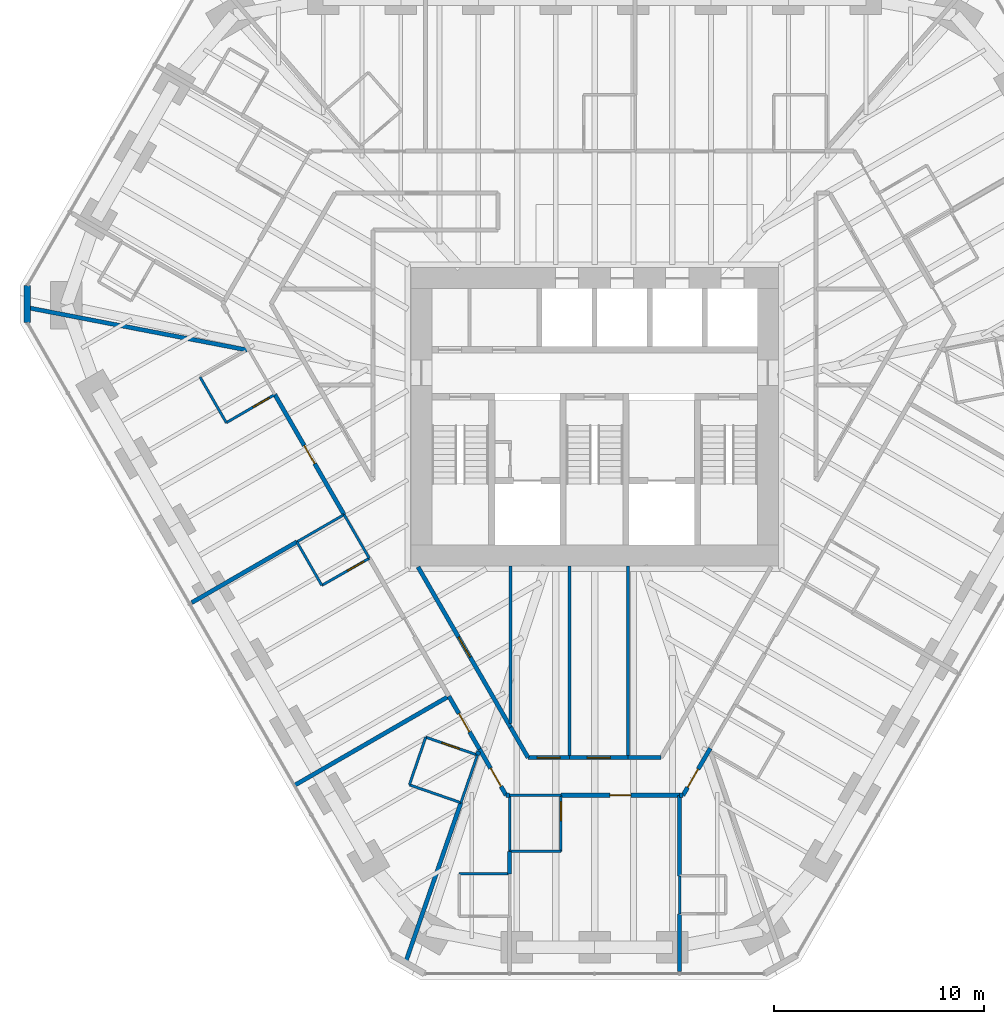
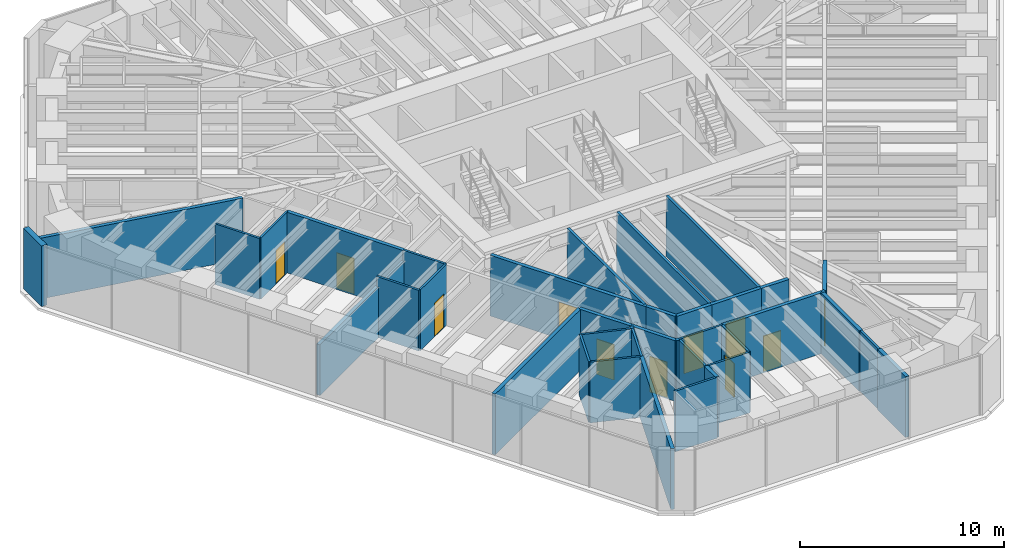
# One storey, part 11 of 16: 40 walls, 12 doors, 12 openings.
"""IFC4 building model written with IfcOpenShell, lengths in metres."""

from ifc_helpers import new_model, si_unit, direction, frame, frame_2d, origin, place, context, subcontext, project, spatial, rectangle, extrude, material, layer, layer_set, type_object, element, fill, save


model = new_model("IFC4")

# Units and contexts
model_context = context("Model", 3, precision=1e-05, world=origin(), true_north=direction((0.0, 1.0)))
body_context = subcontext(model_context, "Body", "Model", "MODEL_VIEW")
ifc_project = project(units=[si_unit("LENGTHUNIT", "METRE"), si_unit("AREAUNIT", "SQUARE_METRE"), si_unit("VOLUMEUNIT", "CUBIC_METRE"), si_unit("PLANEANGLEUNIT", "RADIAN"), si_unit("MASSUNIT", "GRAM", prefix="KILO")], contexts=[model_context])

# Site, building, storey
site_placement = place(None, origin())
site = spatial("IfcSite", under=ifc_project, at=site_placement, CompositionType="ELEMENT")
building_placement = place(site_placement, origin())
building = spatial("IfcBuilding", under=site, at=building_placement, Name="Sandreach Pilgrim Tower", CompositionType="ELEMENT")
storey_placement = place(building_placement, frame((0.0, 0.0, 202.199951171875)))
storey = spatial("IfcBuildingStorey", under=building, at=storey_placement, Name="L50", CompositionType="ELEMENT", Elevation=202.199951171875)

# Walls
ifc_material_1 = material(Name="Gypsum board on steel studs", Category="steel")
ifc_layer_1 = layer(ifc_material_1, 0.14990234375)
ifc_layer_set_1 = layer_set([ifc_layer_1], Name="Back of house wall 150")
wall_type_1 = type_object("IfcWallType", Name="Back of house wall 150", PredefinedType="PARTITIONING", material=ifc_layer_set_1)
wall_1_placement = place(storey_placement, frame((-4.0, -7.10009765625, 0.0), z_axis=(0.0, 0.0, 1.0), x_axis=(0.0, -1.0, 0.0)))
element("IfcWall", 1, at=wall_1_placement, inside=storey, type_object=wall_type_1, Name="Back of house wall L50-074", PredefinedType="PARTITIONING", context=body_context, shape_type="SweptSolid", body=[
    extrude(rectangle(XDim=7.514892578125, YDim=0.14990234375, at=frame_2d((3.75732421875, 0.0))), origin(), (0.0, 0.0, 1.0), 3.64013671875),
])
for number, where, z_axis, x_axis, name in (
    (2, (-1.199951171875, -7.10009765625, 0.0), (0.0, 0.0, 1.0), (0.0, -1.0, 0.0), "Back of house wall L50-079"),
    (3, (1.60009765625, -7.10009765625, 0.0), (0.0, 0.0, 1.0), (0.0, -1.0, 0.0), "Back of house wall L50-083"),
):
    element("IfcWall", number, at=place(storey_placement, frame(where, z_axis=z_axis, x_axis=x_axis)), inside=storey, type_object=wall_type_1, Name=name, PredefinedType="PARTITIONING", context=body_context, shape_type="SweptSolid", body=[
        extrude(rectangle(XDim=9.1298828125, YDim=0.14990234375, at=frame_2d((4.56494140625, 0.0))), origin(), (0.0, 0.0, 1.0), 3.64013671875),
    ])
ifc_material_2 = material(Name="Moisture-resistant gypsum board on steel studs", Category="steel")
ifc_layer_2 = layer(ifc_material_2, 0.1201171875)
ifc_layer_set_2 = layer_set([ifc_layer_2], Name="Bathroom partition 120")
wall_type_2 = type_object("IfcWallType", Name="Bathroom partition 120", PredefinedType="PARTITIONING", material=ifc_layer_set_2)
wall_2_placement = place(storey_placement, frame((-18.7900390625, 1.889892578125, 0.0), z_axis=(0.0, 0.0, 1.0), x_axis=(0.499159685399, -0.866510016372, 0.0)))
element("IfcWall", 4, at=wall_2_placement, inside=storey, type_object=wall_type_2, Name="Bathroom partition L50-010", PredefinedType="PARTITIONING", context=body_context, shape_type="SweptSolid", body=[
    extrude(rectangle(XDim=2.504150390625, YDim=0.1201171875, at=frame_2d((1.251953125, 0.0))), origin(), (0.0, 0.0, 1.0), 3.64013671875),
])

# Wall, opening, door
wall_3_placement = place(storey_placement, frame((-17.5400390625, -0.280029296875, 0.0), z_axis=(0.0, 0.0, 1.0), x_axis=(0.86498992408, 0.501789229896, 0.0)))
wall_3 = element("IfcWall", 5, at=wall_3_placement, inside=storey, type_object=wall_type_2, Name="Bathroom partition L50-015", PredefinedType="PARTITIONING", context=body_context, shape_type="SweptSolid", body=[
    extrude(rectangle(XDim=2.670654296875, YDim=0.1201171875, at=frame_2d((1.33544921875, 0.0))), origin(), (0.0, 0.0, 1.0), 3.64013671875),
])
opening_1_placement = place(wall_3_placement, frame((1.470458984375, 0.0, 0.0)))
opening_1 = element("IfcOpeningElement", 6, at=opening_1_placement, cuts=wall_3, Name="Opening D09-14B", PredefinedType="OPENING", context=body_context, shape_type="SweptSolid", body=[
    extrude(rectangle(XDim=0.89990234375, YDim=2.030029296875, at=frame_2d((0.449951171875, 1.01513671875))), frame((0.0, 0.06005859375, 0.0), z_axis=(0.0, -1.0, 0.0), x_axis=(1.0, 0.0, 0.0)), (0.0, 0.0, 1.0), 0.1201171875),
])
ifc_material_3 = material(Name="Timber door, steel frame", Category="steel")
door_type_1 = type_object("IfcDoorType", Name="Bathroom door", OperationType="SINGLE_SWING_LEFT", PredefinedType="DOOR", material=ifc_material_3)
door_1_placement = place(opening_1_placement, origin())
door_1 = element("IfcDoor", 7, at=door_1_placement, inside=storey, type_object=door_type_1, Name="Door 5014B", OperationType="SINGLE_SWING_RIGHT", OverallHeight=2.030029296875, OverallWidth=0.89990234375, PredefinedType="DOOR", context=body_context, shape_type="SweptSolid", body=[
    extrude(rectangle(XDim=0.89990234375, YDim=2.030029296875, at=frame_2d((0.449951171875, 1.01513671875))), frame((0.0, 0.02490234375, 0.0), z_axis=(0.0, -1.0, 0.0), x_axis=(1.0, 0.0, 0.0)), (0.0, 0.0, 1.0), 0.050048828125),
])
fill(opening_1, door_1)

# Walls
wall_4_placement = place(storey_placement, frame((-14.179931640625, -5.9599609375, 0.0), z_axis=(0.0, 0.0, 1.0), x_axis=(0.49836161924, -0.866969259241, 0.0)))
element("IfcWall", 8, at=wall_4_placement, inside=storey, type_object=wall_type_2, Name="Bathroom partition L50-032", PredefinedType="PARTITIONING", context=body_context, shape_type="SweptSolid", body=[
    extrude(rectangle(XDim=2.3876953125, YDim=0.1201171875, at=frame_2d((1.19384765625, 0.0))), origin(), (0.0, 0.0, 1.0), 3.64013671875),
])
wall_5_placement = place(storey_placement, frame((-14.179931640625, -5.9599609375, 0.0), z_axis=(0.0, 0.0, 1.0), x_axis=(0.865856933682, 0.500291685314, 0.0)))
element("IfcWall", 9, at=wall_5_placement, inside=storey, type_object=wall_type_2, Name="Bathroom partition L50-033", PredefinedType="PARTITIONING", context=body_context, shape_type="SweptSolid", body=[
    extrude(rectangle(XDim=2.5986328125, YDim=0.1201171875, at=frame_2d((1.29931640625, 0.0))), origin(), (0.0, 0.0, 1.0), 3.0380859375),
])

# Wall, opening, door
wall_6_placement = place(storey_placement, frame((-12.989990234375, -8.030029296875, 0.0), z_axis=(0.0, 0.0, 1.0), x_axis=(0.868473984885, 0.49573474518, 0.0)))
wall_6 = element("IfcWall", 10, at=wall_6_placement, inside=storey, type_object=wall_type_2, Name="Bathroom partition L50-036", PredefinedType="PARTITIONING", context=body_context, shape_type="SweptSolid", body=[
    extrude(rectangle(XDim=2.602294921875, YDim=0.1201171875, at=frame_2d((1.30126953125, 0.0))), origin(), (0.0, 0.0, 1.0), 3.64013671875),
])
opening_2_placement = place(wall_6_placement, frame((1.402099609375, 0.0, 0.0)))
opening_2 = element("IfcOpeningElement", 11, at=opening_2_placement, cuts=wall_6, Name="Opening D09-13B", PredefinedType="OPENING", context=body_context, shape_type="SweptSolid", body=[
    extrude(rectangle(XDim=0.89990234375, YDim=2.030029296875, at=frame_2d((0.449951171875, 1.01513671875))), frame((0.0, 0.06005859375, 0.0), z_axis=(0.0, -1.0, 0.0), x_axis=(1.0, 0.0, 0.0)), (0.0, 0.0, 1.0), 0.1201171875),
])
door_2_placement = place(opening_2_placement, origin())
door_2 = element("IfcDoor", 12, at=door_2_placement, inside=storey, type_object=door_type_1, Name="Door 5013B", OperationType="SINGLE_SWING_RIGHT", OverallHeight=2.030029296875, OverallWidth=0.89990234375, PredefinedType="DOOR", context=body_context, shape_type="SweptSolid", body=[
    extrude(rectangle(XDim=0.89990234375, YDim=2.030029296875, at=frame_2d((0.449951171875, 1.01513671875))), frame((0.0, 0.02490234375, 0.0), z_axis=(0.0, -1.0, 0.0), x_axis=(1.0, 0.0, 0.0)), (0.0, 0.0, 1.0), 0.050048828125),
])
fill(opening_2, door_2)

# Walls
wall_7_placement = place(storey_placement, frame((-11.929931640625, -4.659912109375, 0.0), z_axis=(0.0, 0.0, 1.0), x_axis=(0.499693115345, -0.866202511239, 0.0)))
element("IfcWall", 13, at=wall_7_placement, inside=storey, type_object=wall_type_2, Name="Bathroom partition L50-039", PredefinedType="PARTITIONING", context=body_context, shape_type="SweptSolid", body=[
    extrude(rectangle(XDim=2.4013671875, YDim=0.1201171875, at=frame_2d((1.20068359375, 0.0))), origin(), (0.0, 0.0, 1.0), 3.64013671875),
])
wall_8_placement = place(storey_placement, frame((-8.820068359375, -17.530029296875, 0.0), z_axis=(0.0, 0.0, 1.0), x_axis=(0.944753042377, -0.327782990589, 0.0)))
element("IfcWall", 14, at=wall_8_placement, inside=storey, type_object=wall_type_2, Name="Bathroom partition L50-052", PredefinedType="PARTITIONING", context=body_context, shape_type="SweptSolid", body=[
    extrude(rectangle(XDim=2.593505859375, YDim=0.1201171875, at=frame_2d((1.296875, 0.0))), origin(), (0.0, 0.0, 1.0), 3.64013671875),
])
wall_9_placement = place(storey_placement, frame((-8.0400390625, -15.260009765625, 0.0), z_axis=(0.0, 0.0, 1.0), x_axis=(-0.324971746724, -0.945723724896, 0.0)))
element("IfcWall", 15, at=wall_9_placement, inside=storey, type_object=wall_type_2, Name="Bathroom partition L50-055", PredefinedType="PARTITIONING", context=body_context, shape_type="SweptSolid", body=[
    extrude(rectangle(XDim=2.400390625, YDim=0.1201171875, at=frame_2d((1.2001953125, 0.0))), origin(), (0.0, 0.0, 1.0), 3.64013671875),
])
wall_10_placement = place(storey_placement, frame((-6.36474609375, -18.3818359375, 0.0), z_axis=(0.0, 0.0, 1.0), x_axis=(0.327571022417, 0.944826558302, 0.0)))
element("IfcWall", 16, at=wall_10_placement, inside=storey, type_object=wall_type_2, Name="Bathroom partition L50-059", PredefinedType="PARTITIONING", context=body_context, shape_type="SweptSolid", body=[
    extrude(rectangle(XDim=2.403564453125, YDim=0.1201171875, at=frame_2d((1.20166015625, 0.0))), origin(), (0.0, 0.0, 1.0), 3.64013671875),
])

# Wall, opening, door
wall_11_placement = place(storey_placement, frame((-5.580078125, -16.110107421875, 0.0), z_axis=(0.0, 0.0, 1.0), x_axis=(-0.94515546045, 0.326620813149, 0.0)))
wall_11 = element("IfcWall", 17, at=wall_11_placement, inside=storey, type_object=wall_type_2, Name="Bathroom partition L50-060", PredefinedType="PARTITIONING", context=body_context, shape_type="SweptSolid", body=[
    extrude(rectangle(XDim=2.602783203125, YDim=0.1201171875, at=frame_2d((1.30126953125, 0.0))), origin(), (0.0, 0.0, 1.0), 3.64013671875),
])
opening_3_placement = place(wall_11_placement, frame((0.89990234375, 0.0, 0.0)))
opening_3 = element("IfcOpeningElement", 18, at=opening_3_placement, cuts=wall_11, Name="Opening D09-12B", PredefinedType="OPENING", context=body_context, shape_type="SweptSolid", body=[
    extrude(rectangle(XDim=0.89990234375, YDim=2.030029296875, at=frame_2d((0.449951171875, 1.01513671875))), frame((0.0, 0.06005859375, 0.0), z_axis=(0.0, -1.0, 0.0), x_axis=(1.0, 0.0, 0.0)), (0.0, 0.0, 1.0), 0.1201171875),
])
door_3_placement = place(opening_3_placement, origin())
door_3 = element("IfcDoor", 19, at=door_3_placement, inside=storey, type_object=door_type_1, Name="Door 5012B", OperationType="SINGLE_SWING_RIGHT", OverallHeight=2.030029296875, OverallWidth=0.89990234375, PredefinedType="DOOR", context=body_context, shape_type="SweptSolid", body=[
    extrude(rectangle(XDim=0.89990234375, YDim=2.030029296875, at=frame_2d((0.449951171875, 1.01513671875))), frame((0.0, 0.02490234375, 0.0), z_axis=(0.0, -1.0, 0.0), x_axis=(1.0, 0.0, 0.0)), (0.0, 0.0, 1.0), 0.050048828125),
])
fill(opening_3, door_3)

# Walls
wall_12_placement = place(storey_placement, frame((-4.050048828125, -21.77001953125, 0.0), z_axis=(0.0, 0.0, 1.0), x_axis=(-1.0, 0.0, 0.0)))
element("IfcWall", 20, at=wall_12_placement, inside=storey, type_object=wall_type_2, Name="Bathroom partition L50-068", PredefinedType="PARTITIONING", context=body_context, shape_type="SweptSolid", body=[
    extrude(rectangle(XDim=2.39990234375, YDim=0.1201171875, at=frame_2d((1.199951171875, 0.0))), origin(), (0.0, 0.0, 1.0), 3.64013671875),
])
wall_13_placement = place(storey_placement, frame((-4.050048828125, -20.699951171875, 0.0), z_axis=(0.0, 0.0, 1.0), x_axis=(0.0, 1.0, 0.0)))
element("IfcWall", 21, at=wall_13_placement, inside=storey, type_object=wall_type_2, Name="Bathroom partition L50-070", PredefinedType="PARTITIONING", context=body_context, shape_type="SweptSolid", body=[
    extrude(rectangle(XDim=2.669921875, YDim=0.1201171875, at=frame_2d((1.3349609375, 0.0))), origin(), (0.0, 0.0, 1.0), 3.64013671875),
])
for number, where, z_axis, x_axis, name in (
    (22, (-4.050048828125, -20.699951171875, 0.0), (0.0, 0.0, 1.0), (1.0, 0.0, 0.0), "Bathroom partition L50-071"),
    (23, (-4.050048828125, -18.030029296875, 0.0), (0.0, 0.0, 1.0), (1.0, 0.0, 0.0), "Bathroom partition L50-072"),
):
    element("IfcWall", number, at=place(storey_placement, frame(where, z_axis=z_axis, x_axis=x_axis)), inside=storey, type_object=wall_type_2, Name=name, PredefinedType="PARTITIONING", context=body_context, shape_type="SweptSolid", body=[
        extrude(rectangle(XDim=2.449951171875, YDim=0.1201171875, at=frame_2d((1.22509765625, 0.0))), origin(), (0.0, 0.0, 1.0), 3.64013671875),
    ])

# Wall, opening, door
wall_14_placement = place(storey_placement, frame((-1.60009765625, -20.699951171875, 0.0), z_axis=(0.0, 0.0, 1.0), x_axis=(0.0, 1.0, 0.0)))
wall_14 = element("IfcWall", 24, at=wall_14_placement, inside=storey, type_object=wall_type_2, Name="Bathroom partition L50-076", PredefinedType="PARTITIONING", context=body_context, shape_type="SweptSolid", body=[
    extrude(rectangle(XDim=2.669921875, YDim=0.1201171875, at=frame_2d((1.3349609375, 0.0))), origin(), (0.0, 0.0, 1.0), 3.64013671875),
])
opening_4_placement = place(wall_14_placement, frame((1.469970703125, 0.0, 0.0)))
opening_4 = element("IfcOpeningElement", 25, at=opening_4_placement, cuts=wall_14, Name="Opening D09-10B", PredefinedType="OPENING", context=body_context, shape_type="SweptSolid", body=[
    extrude(rectangle(XDim=0.89990234375, YDim=2.030029296875, at=frame_2d((0.449951171875, 1.01513671875))), frame((0.0, 0.06005859375, 0.0), z_axis=(0.0, -1.0, 0.0), x_axis=(1.0, 0.0, 0.0)), (0.0, 0.0, 1.0), 0.1201171875),
])
door_4_placement = place(opening_4_placement, origin())
door_4 = element("IfcDoor", 26, at=door_4_placement, inside=storey, type_object=door_type_1, Name="Door 5010B", OperationType="SINGLE_SWING_RIGHT", OverallHeight=2.030029296875, OverallWidth=0.89990234375, PredefinedType="DOOR", context=body_context, shape_type="SweptSolid", body=[
    extrude(rectangle(XDim=0.89990234375, YDim=2.030029296875, at=frame_2d((0.449951171875, 1.01513671875))), frame((0.0, 0.02490234375, 0.0), z_axis=(0.0, -1.0, 0.0), x_axis=(1.0, 0.0, 0.0)), (0.0, 0.0, 1.0), 0.050048828125),
])
fill(opening_4, door_4)

# Wall
wall_15_placement = place(storey_placement, frame((4.050048828125, -23.679931640625, 0.0), z_axis=(0.0, 0.0, 1.0), x_axis=(0.0, 1.0, 0.0)))
element("IfcWall", 27, at=wall_15_placement, inside=storey, type_object=wall_type_2, Name="Bathroom partition L50-090", PredefinedType="PARTITIONING", context=body_context, shape_type="SweptSolid", body=[
    extrude(rectangle(XDim=1.809814453125, YDim=0.1201171875, at=frame_2d((0.90478515625, 0.0))), origin(), (0.0, 0.0, 1.0), 3.64013671875),
])

# Wall, opening, door
ifc_material_4 = material(Name="Gypsum board on steel studs, two layers each side", Category="steel")
ifc_layer_3 = layer(ifc_material_4, 0.199951171875)
ifc_layer_set_3 = layer_set([ifc_layer_3], Name="Corridor wall 200")
wall_type_3 = type_object("IfcWallType", Name="Corridor wall 200", PredefinedType="PARTITIONING", material=ifc_layer_set_3)
wall_16_placement = place(storey_placement, frame((-15.22998046875, 1.06005859375, 0.0), z_axis=(0.0, 0.0, 1.0), x_axis=(0.499729921425, -0.866181277581, 0.0)))
wall_16 = element("IfcWall", 28, at=wall_16_placement, inside=storey, type_object=wall_type_3, Name="Corridor wall L50-027", PredefinedType="PARTITIONING", context=body_context, shape_type="SweptSolid", body=[
    extrude(rectangle(XDim=6.603759765625, YDim=0.199951171875, at=frame_2d((3.3017578125, 0.0))), origin(), (0.0, 0.0, 1.0), 3.64013671875),
])
opening_5_placement = place(wall_16_placement, frame((2.8017578125, 0.0, 0.0)))
opening_5 = element("IfcOpeningElement", 29, at=opening_5_placement, cuts=wall_16, Name="Opening D10-14", PredefinedType="OPENING", context=body_context, shape_type="SweptSolid", body=[
    extrude(rectangle(XDim=1.0, YDim=2.1298828125, at=frame_2d((0.5, 1.06494140625))), frame((0.0, 0.10009765625, 0.0), z_axis=(0.0, -1.0, 0.0), x_axis=(1.0, 0.0, 0.0)), (0.0, 0.0, 1.0), 0.199951171875),
])
ifc_material_5 = material(Name="Steel door and frame", Category="steel")
door_type_2 = type_object("IfcDoorType", Name="Guest room entry door", OperationType="SINGLE_SWING_LEFT", PredefinedType="DOOR", material=ifc_material_5)
door_5_placement = place(opening_5_placement, origin())
door_5 = element("IfcDoor", 30, at=door_5_placement, inside=storey, type_object=door_type_2, Name="Door 5014", OperationType="SINGLE_SWING_LEFT", OverallHeight=2.1298828125, OverallWidth=1.0, PredefinedType="DOOR", context=body_context, shape_type="SweptSolid", body=[
    extrude(rectangle(XDim=1.0, YDim=2.1298828125, at=frame_2d((0.5, 1.06494140625))), frame((0.0, 0.02490234375, 0.0), z_axis=(0.0, -1.0, 0.0), x_axis=(1.0, 0.0, 0.0)), (0.0, 0.0, 1.0), 0.050048828125),
])
fill(opening_5, door_5)

wall_17_placement = place(storey_placement, frame((-6.93994140625, -13.31005859375, 0.0), z_axis=(0.0, 0.0, 1.0), x_axis=(0.501293994647, -0.865277025542, 0.0)))
wall_17 = element("IfcWall", 31, at=wall_17_placement, inside=storey, type_object=wall_type_3, Name="Corridor wall L50-056", PredefinedType="PARTITIONING", context=body_context, shape_type="SweptSolid", body=[
    extrude(rectangle(XDim=2.912353515625, YDim=0.199951171875, at=frame_2d((1.4560546875, 0.0))), origin(), (0.0, 0.0, 1.0), 3.64013671875),
])
opening_6_placement = place(wall_17_placement, frame((0.956298828125, 0.0, 0.0)))
opening_6 = element("IfcOpeningElement", 32, at=opening_6_placement, cuts=wall_17, Name="Opening D10-12", PredefinedType="OPENING", context=body_context, shape_type="SweptSolid", body=[
    extrude(rectangle(XDim=1.0, YDim=2.1298828125, at=frame_2d((0.5, 1.06494140625))), frame((0.0, 0.10009765625, 0.0), z_axis=(0.0, -1.0, 0.0), x_axis=(1.0, 0.0, 0.0)), (0.0, 0.0, 1.0), 0.199951171875),
])
door_6_placement = place(opening_6_placement, origin())
door_6 = element("IfcDoor", 33, at=door_6_placement, inside=storey, type_object=door_type_2, Name="Door 5012", OperationType="SINGLE_SWING_LEFT", OverallHeight=2.1298828125, OverallWidth=1.0, PredefinedType="DOOR", context=body_context, shape_type="SweptSolid", body=[
    extrude(rectangle(XDim=1.0, YDim=2.1298828125, at=frame_2d((0.5, 1.06494140625))), frame((0.0, 0.02490234375, 0.0), z_axis=(0.0, -1.0, 0.0), x_axis=(1.0, 0.0, 0.0)), (0.0, 0.0, 1.0), 0.050048828125),
])
fill(opening_6, door_6)

wall_18_placement = place(storey_placement, frame((-5.47998046875, -15.830078125, 0.0), z_axis=(0.0, 0.0, 1.0), x_axis=(0.499963722229, -0.866046347752, 0.0)))
wall_18 = element("IfcWall", 34, at=wall_18_placement, inside=storey, type_object=wall_type_3, Name="Corridor wall L50-062", PredefinedType="PARTITIONING", context=body_context, shape_type="SweptSolid", body=[
    extrude(rectangle(XDim=2.540283203125, YDim=0.199951171875, at=frame_2d((1.27001953125, 0.0))), origin(), (0.0, 0.0, 1.0), 3.64013671875),
])
opening_7_placement = place(wall_18_placement, frame((1.050048828125, 0.0, 0.0)))
opening_7 = element("IfcOpeningElement", 35, at=opening_7_placement, cuts=wall_18, Name="Opening D10-11", PredefinedType="OPENING", context=body_context, shape_type="SweptSolid", body=[
    extrude(rectangle(XDim=1.0, YDim=2.1298828125, at=frame_2d((0.5, 1.06494140625))), frame((0.0, 0.10009765625, 0.0), z_axis=(0.0, -1.0, 0.0), x_axis=(1.0, 0.0, 0.0)), (0.0, 0.0, 1.0), 0.199951171875),
])
door_7_placement = place(opening_7_placement, origin())
door_7 = element("IfcDoor", 36, at=door_7_placement, inside=storey, type_object=door_type_2, Name="Door 5011", OperationType="SINGLE_SWING_RIGHT", OverallHeight=2.1298828125, OverallWidth=1.0, PredefinedType="DOOR", context=body_context, shape_type="SweptSolid", body=[
    extrude(rectangle(XDim=1.0, YDim=2.1298828125, at=frame_2d((0.5, 1.06494140625))), frame((0.0, 0.02490234375, 0.0), z_axis=(0.0, -1.0, 0.0), x_axis=(1.0, 0.0, 0.0)), (0.0, 0.0, 1.0), 0.050048828125),
])
fill(opening_7, door_7)

# Wall
wall_19_placement = place(storey_placement, frame((-4.2099609375, -18.030029296875, 0.0), z_axis=(0.0, 0.0, 1.0), x_axis=(1.0, 0.0, 0.0)))
element("IfcWall", 37, at=wall_19_placement, inside=storey, type_object=wall_type_3, Name="Corridor wall L50-065", PredefinedType="PARTITIONING", context=body_context, shape_type="SweptSolid", body=[
    extrude(rectangle(XDim=0.159912109375, YDim=0.199951171875, at=frame_2d((0.080078125, 0.0))), origin(), (0.0, 0.0, 1.0), 3.64013671875),
])

# Wall, opening, door
wall_20_placement = place(storey_placement, frame((-4.0, -14.7900390625, 0.0), z_axis=(0.0, 0.0, 1.0), x_axis=(-0.499916512745, 0.866073599808, 0.0)))
wall_20 = element("IfcWall", 38, at=wall_20_placement, inside=storey, type_object=wall_type_3, Name="Corridor wall L50-073", PredefinedType="PARTITIONING", context=body_context, shape_type="SweptSolid", body=[
    extrude(rectangle(XDim=8.8212890625, YDim=0.199951171875, at=frame_2d((4.41064453125, 0.0))), origin(), (0.0, 0.0, 1.0), 3.64013671875),
])
opening_8_placement = place(wall_20_placement, frame((3.860595703125, 0.0, 0.0)))
opening_8 = element("IfcOpeningElement", 39, at=opening_8_placement, cuts=wall_20, Name="Opening D11H-S1", PredefinedType="OPENING", context=body_context, shape_type="SweptSolid", body=[
    extrude(rectangle(XDim=1.10009765625, YDim=2.199951171875, at=frame_2d((0.550048828125, 1.10009765625))), frame((0.0, 0.10009765625, 0.0), z_axis=(0.0, -1.0, 0.0), x_axis=(1.0, 0.0, 0.0)), (0.0, 0.0, 1.0), 0.199951171875),
])
ifc_material_6 = material(Name="Steel door and frame", Category="steel")
door_type_3 = type_object("IfcDoorType", Name="Back of house door", OperationType="SINGLE_SWING_LEFT", PredefinedType="DOOR", material=ifc_material_6)
door_8_placement = place(opening_8_placement, origin())
door_8 = element("IfcDoor", 40, at=door_8_placement, inside=storey, type_object=door_type_3, Name="Door 50S1", OperationType="SINGLE_SWING_LEFT", OverallHeight=2.199951171875, OverallWidth=1.10009765625, PredefinedType="DOOR", context=body_context, shape_type="SweptSolid", body=[
    extrude(rectangle(XDim=1.10009765625, YDim=2.199951171875, at=frame_2d((0.550048828125, 1.10009765625))), frame((0.0, 0.02490234375, 0.0), z_axis=(0.0, -1.0, 0.0), x_axis=(1.0, 0.0, 0.0)), (0.0, 0.0, 1.0), 0.050048828125),
])
fill(opening_8, door_8)

# Wall
wall_21_placement = place(storey_placement, frame((-3.169921875, -16.22998046875, 0.0), z_axis=(0.0, 0.0, 1.0), x_axis=(-0.499425709803, 0.866356716594, 0.0)))
element("IfcWall", 41, at=wall_21_placement, inside=storey, type_object=wall_type_3, Name="Corridor wall L50-075", PredefinedType="PARTITIONING", context=body_context, shape_type="SweptSolid", body=[
    extrude(rectangle(XDim=1.662109375, YDim=0.199951171875, at=frame_2d((0.8310546875, 0.0))), origin(), (0.0, 0.0, 1.0), 3.64013671875),
])

# Wall, opening, door
wall_22_placement = place(storey_placement, frame((-1.60009765625, -18.030029296875, 0.0), z_axis=(0.0, 0.0, 1.0), x_axis=(1.0, 0.0, 0.0)))
wall_22 = element("IfcWall", 42, at=wall_22_placement, inside=storey, type_object=wall_type_3, Name="Corridor wall L50-077", PredefinedType="PARTITIONING", context=body_context, shape_type="SweptSolid", body=[
    extrude(rectangle(XDim=5.650146484375, YDim=0.199951171875, at=frame_2d((2.8251953125, 0.0))), origin(), (0.0, 0.0, 1.0), 3.64013671875),
])
opening_9_placement = place(wall_22_placement, frame((2.324951171875, 0.0, 0.0)))
opening_9 = element("IfcOpeningElement", 43, at=opening_9_placement, cuts=wall_22, Name="Opening D10-10", PredefinedType="OPENING", context=body_context, shape_type="SweptSolid", body=[
    extrude(rectangle(XDim=1.0, YDim=2.1298828125, at=frame_2d((0.5, 1.06494140625))), frame((0.0, 0.10009765625, 0.0), z_axis=(0.0, -1.0, 0.0), x_axis=(1.0, 0.0, 0.0)), (0.0, 0.0, 1.0), 0.199951171875),
])
door_9_placement = place(opening_9_placement, origin())
door_9 = element("IfcDoor", 44, at=door_9_placement, inside=storey, type_object=door_type_2, Name="Door 5010", OperationType="SINGLE_SWING_LEFT", OverallHeight=2.1298828125, OverallWidth=1.0, PredefinedType="DOOR", context=body_context, shape_type="SweptSolid", body=[
    extrude(rectangle(XDim=1.0, YDim=2.1298828125, at=frame_2d((0.5, 1.06494140625))), frame((0.0, 0.02490234375, 0.0), z_axis=(0.0, -1.0, 0.0), x_axis=(1.0, 0.0, 0.0)), (0.0, 0.0, 1.0), 0.050048828125),
])
fill(opening_9, door_9)

wall_23_placement = place(storey_placement, frame((-1.199951171875, -16.22998046875, 0.0), z_axis=(0.0, 0.0, 1.0), x_axis=(-1.0, 0.0, 0.0)))
wall_23 = element("IfcWall", 45, at=wall_23_placement, inside=storey, type_object=wall_type_3, Name="Corridor wall L50-078", PredefinedType="PARTITIONING", context=body_context, shape_type="SweptSolid", body=[
    extrude(rectangle(XDim=1.969970703125, YDim=0.199951171875, at=frame_2d((0.98486328125, 0.0))), origin(), (0.0, 0.0, 1.0), 3.64013671875),
])
opening_10_placement = place(wall_23_placement, frame((0.43505859375, 0.0, 0.0)))
opening_10 = element("IfcOpeningElement", 46, at=opening_10_placement, cuts=wall_23, Name="Opening D11H-S2", PredefinedType="OPENING", context=body_context, shape_type="SweptSolid", body=[
    extrude(rectangle(XDim=1.10009765625, YDim=2.199951171875, at=frame_2d((0.550048828125, 1.10009765625))), frame((0.0, 0.10009765625, 0.0), z_axis=(0.0, -1.0, 0.0), x_axis=(1.0, 0.0, 0.0)), (0.0, 0.0, 1.0), 0.199951171875),
])
door_10_placement = place(opening_10_placement, origin())
door_10 = element("IfcDoor", 47, at=door_10_placement, inside=storey, type_object=door_type_3, Name="Door 50S2", OperationType="SINGLE_SWING_LEFT", OverallHeight=2.199951171875, OverallWidth=1.10009765625, PredefinedType="DOOR", context=body_context, shape_type="SweptSolid", body=[
    extrude(rectangle(XDim=1.10009765625, YDim=2.199951171875, at=frame_2d((0.550048828125, 1.10009765625))), frame((0.0, 0.02490234375, 0.0), z_axis=(0.0, -1.0, 0.0), x_axis=(1.0, 0.0, 0.0)), (0.0, 0.0, 1.0), 0.050048828125),
])
fill(opening_10, door_10)

wall_24_placement = place(storey_placement, frame((1.60009765625, -16.22998046875, 0.0), z_axis=(0.0, 0.0, 1.0), x_axis=(-1.0, 0.0, 0.0)))
wall_24 = element("IfcWall", 48, at=wall_24_placement, inside=storey, type_object=wall_type_3, Name="Corridor wall L50-082", PredefinedType="PARTITIONING", context=body_context, shape_type="SweptSolid", body=[
    extrude(rectangle(XDim=2.800048828125, YDim=0.199951171875, at=frame_2d((1.39990234375, 0.0))), origin(), (0.0, 0.0, 1.0), 3.64013671875),
])
opening_11_placement = place(wall_24_placement, frame((0.85009765625, 0.0, 0.0)))
opening_11 = element("IfcOpeningElement", 49, at=opening_11_placement, cuts=wall_24, Name="Opening D11H-S3", PredefinedType="OPENING", context=body_context, shape_type="SweptSolid", body=[
    extrude(rectangle(XDim=1.10009765625, YDim=2.199951171875, at=frame_2d((0.550048828125, 1.10009765625))), frame((0.0, 0.10009765625, 0.0), z_axis=(0.0, -1.0, 0.0), x_axis=(1.0, 0.0, 0.0)), (0.0, 0.0, 1.0), 0.199951171875),
])
door_11_placement = place(opening_11_placement, origin())
door_11 = element("IfcDoor", 50, at=door_11_placement, inside=storey, type_object=door_type_3, Name="Door 50S3", OperationType="SINGLE_SWING_LEFT", OverallHeight=2.199951171875, OverallWidth=1.10009765625, PredefinedType="DOOR", context=body_context, shape_type="SweptSolid", body=[
    extrude(rectangle(XDim=1.10009765625, YDim=2.199951171875, at=frame_2d((0.550048828125, 1.10009765625))), frame((0.0, 0.02490234375, 0.0), z_axis=(0.0, -1.0, 0.0), x_axis=(1.0, 0.0, 0.0)), (0.0, 0.0, 1.0), 0.050048828125),
])
fill(opening_11, door_11)

# Walls
wall_25_placement = place(storey_placement, frame((3.169921875, -16.22998046875, 0.0), z_axis=(0.0, 0.0, 1.0), x_axis=(-1.0, 0.0, 0.0)))
element("IfcWall", 51, at=wall_25_placement, inside=storey, type_object=wall_type_3, Name="Corridor wall L50-088", PredefinedType="PARTITIONING", context=body_context, shape_type="SweptSolid", body=[
    extrude(rectangle(XDim=1.56982421875, YDim=0.199951171875, at=frame_2d((0.784912109375, 0.0))), origin(), (0.0, 0.0, 1.0), 3.64013671875),
])
wall_26_placement = place(storey_placement, frame((4.050048828125, -18.030029296875, 0.0), z_axis=(0.0, 0.0, 1.0), x_axis=(1.0, 0.0, 0.0)))
element("IfcWall", 52, at=wall_26_placement, inside=storey, type_object=wall_type_3, Name="Corridor wall L50-093", PredefinedType="PARTITIONING", context=body_context, shape_type="SweptSolid", body=[
    extrude(rectangle(XDim=0.159912109375, YDim=0.199951171875, at=frame_2d((0.080078125, 0.0))), origin(), (0.0, 0.0, 1.0), 3.64013671875),
])

# Wall, opening, door
wall_27_placement = place(storey_placement, frame((5.510009765625, -15.7900390625, 0.0), z_axis=(0.0, 0.0, 1.0), x_axis=(-0.501964949025, -0.864887963814, 0.0)))
wall_27 = element("IfcWall", 53, at=wall_27_placement, inside=storey, type_object=wall_type_3, Name="Corridor wall L50-094", PredefinedType="PARTITIONING", context=body_context, shape_type="SweptSolid", body=[
    extrude(rectangle(XDim=2.58984375, YDim=0.199951171875, at=frame_2d((1.294921875, 0.0))), origin(), (0.0, 0.0, 1.0), 3.64013671875),
])
opening_12_placement = place(wall_27_placement, frame((1.14990234375, 0.0, 0.0)))
opening_12 = element("IfcOpeningElement", 54, at=opening_12_placement, cuts=wall_27, Name="Opening D10-09", PredefinedType="OPENING", context=body_context, shape_type="SweptSolid", body=[
    extrude(rectangle(XDim=1.0, YDim=2.1298828125, at=frame_2d((0.5, 1.06494140625))), frame((0.0, 0.10009765625, 0.0), z_axis=(0.0, -1.0, 0.0), x_axis=(1.0, 0.0, 0.0)), (0.0, 0.0, 1.0), 0.199951171875),
])
door_12_placement = place(opening_12_placement, origin())
door_12 = element("IfcDoor", 55, at=door_12_placement, inside=storey, type_object=door_type_2, Name="Door 5009", OperationType="SINGLE_SWING_RIGHT", OverallHeight=2.1298828125, OverallWidth=1.0, PredefinedType="DOOR", context=body_context, shape_type="SweptSolid", body=[
    extrude(rectangle(XDim=1.0, YDim=2.1298828125, at=frame_2d((0.5, 1.06494140625))), frame((0.0, 0.02490234375, 0.0), z_axis=(0.0, -1.0, 0.0), x_axis=(1.0, 0.0, 0.0)), (0.0, 0.0, 1.0), 0.050048828125),
])
fill(opening_12, door_12)

# Walls
ifc_material_7 = material(Name="Double steel stud acoustic wall, gypsum board", Category="steel")
ifc_layer_4 = layer(ifc_material_7, 0.199951171875)
ifc_layer_set_4 = layer_set([ifc_layer_4], Name="Party wall 200")
wall_type_4 = type_object("IfcWallType", Name="Party wall 200", PredefinedType="PARTITIONING", material=ifc_layer_set_4)
wall_28_placement = place(storey_placement, frame((-27.04052734375, 5.204345703125, 0.0), z_axis=(0.0, 0.0, 1.0), x_axis=(0.981884490433, -0.18948046719, 0.0)))
element("IfcWall", 56, at=wall_28_placement, inside=storey, type_object=wall_type_4, Name="Party wall L50-001", PredefinedType="PARTITIONING", context=body_context, shape_type="SweptSolid", body=[
    extrude(rectangle(XDim=10.68408203125, YDim=0.199951171875, at=frame_2d((5.342041015625, 0.0))), origin(), (0.0, 0.0, 1.0), 3.64013671875),
])
wall_29_placement = place(storey_placement, frame((-19.18603515625, -8.85009765625, 0.0), z_axis=(0.0, 0.0, 1.0), x_axis=(0.866035778077, 0.499982030767, 0.0)))
element("IfcWall", 57, at=wall_29_placement, inside=storey, type_object=wall_type_4, Name="Party wall L50-009", PredefinedType="PARTITIONING", context=body_context, shape_type="SweptSolid", body=[
    extrude(rectangle(XDim=5.780517578125, YDim=0.199951171875, at=frame_2d((2.89013671875, 0.0))), origin(), (0.0, 0.0, 1.0), 3.0380859375),
])
wall_30_placement = place(storey_placement, frame((-14.27392578125, -17.544921875, 0.0), z_axis=(0.0, 0.0, 1.0), x_axis=(0.865985626634, 0.500068889717, 0.0)))
element("IfcWall", 58, at=wall_30_placement, inside=storey, type_object=wall_type_4, Name="Party wall L50-031", PredefinedType="PARTITIONING", context=body_context, shape_type="SweptSolid", body=[
    extrude(rectangle(XDim=8.458740234375, YDim=0.199951171875, at=frame_2d((4.2294921875, 0.0))), origin(), (0.0, 0.0, 1.0), 3.64013671875),
])
wall_31_placement = place(storey_placement, frame((-9.01025390625, -26.01171875, 0.0), z_axis=(0.0, 0.0, 1.0), x_axis=(0.32759647282, 0.944817734272, 0.0)))
element("IfcWall", 59, at=wall_31_placement, inside=storey, type_object=wall_type_4, Name="Party wall L50-051", PredefinedType="PARTITIONING", context=body_context, shape_type="SweptSolid", body=[
    extrude(rectangle(XDim=8.075439453125, YDim=0.199951171875, at=frame_2d((4.03759765625, 0.0))), origin(), (0.0, 0.0, 1.0), 3.64013671875),
])
wall_32_placement = place(storey_placement, frame((-5.577392578125, -16.11083984375, 0.0), z_axis=(0.0, 0.0, 1.0), x_axis=(0.328260778463, 0.944587138025, 0.0)))
element("IfcWall", 60, at=wall_32_placement, inside=storey, type_object=wall_type_4, Name="Party wall L50-061", PredefinedType="PARTITIONING", context=body_context, shape_type="SweptSolid", body=[
    extrude(rectangle(XDim=0.18212890625, YDim=0.199951171875, at=frame_2d((0.091064453125, 0.0))), origin(), (0.0, 0.0, 1.0), 3.64013671875),
])
wall_33_placement = place(storey_placement, frame((-4.050048828125, -21.77001953125, 0.0), z_axis=(0.0, 0.0, 1.0), x_axis=(0.0, 1.0, 0.0)))
element("IfcWall", 61, at=wall_33_placement, inside=storey, type_object=wall_type_4, Name="Party wall L50-069", PredefinedType="PARTITIONING", context=body_context, shape_type="SweptSolid", body=[
    extrude(rectangle(XDim=1.070068359375, YDim=0.199951171875, at=frame_2d((0.53515625, 0.0))), origin(), (0.0, 0.0, 1.0), 3.64013671875),
])
wall_34_placement = place(storey_placement, frame((4.050048828125, -26.409912109375, 0.0), z_axis=(0.0, 0.0, 1.0), x_axis=(0.0, 1.0, 0.0)))
element("IfcWall", 62, at=wall_34_placement, inside=storey, type_object=wall_type_4, Name="Party wall L50-089", PredefinedType="PARTITIONING", context=body_context, shape_type="SweptSolid", body=[
    extrude(rectangle(XDim=2.72998046875, YDim=0.199951171875, at=frame_2d((1.364990234375, 0.0))), origin(), (0.0, 0.0, 1.0), 3.64013671875),
])
wall_35_placement = place(storey_placement, frame((4.050048828125, -21.8701171875, 0.0), z_axis=(0.0, 0.0, 1.0), x_axis=(0.0, 1.0, 0.0)))
element("IfcWall", 63, at=wall_35_placement, inside=storey, type_object=wall_type_4, Name="Party wall L50-092", PredefinedType="PARTITIONING", context=body_context, shape_type="SweptSolid", body=[
    extrude(rectangle(XDim=3.830078125, YDim=0.199951171875, at=frame_2d((1.9150390625, 0.0))), origin(), (0.0, 0.0, 1.0), 3.64013671875),
])
ifc_material_8 = material(Name="Terracotta rainscreen on concrete", Category="masonry")
ifc_layer_5 = layer(ifc_material_8, 0.300048828125)
ifc_layer_set_5 = layer_set([ifc_layer_5], Name="Terracotta chamfer pier")
wall_type_5 = type_object("IfcWallType", Name="Terracotta chamfer pier", PredefinedType="SOLIDWALL", material=ifc_layer_set_5)
wall_36_placement = place(storey_placement, frame((-27.02001953125, 4.47998046875, 0.0), z_axis=(0.0, 0.0, 1.0), x_axis=(0.0, 1.0, 0.0)))
element("IfcWall", 64, at=wall_36_placement, inside=storey, type_object=wall_type_5, Name="Chamfer pier L50 SW", PredefinedType="SOLIDWALL", context=body_context, shape_type="SweptSolid", body=[
    extrude(rectangle(XDim=1.77001953125, YDim=0.300048828125, at=frame_2d((0.885009765625, 0.0))), origin(), (0.0, 0.0, 1.0), 3.64013671875),
])

save(model, "model.ifc")
